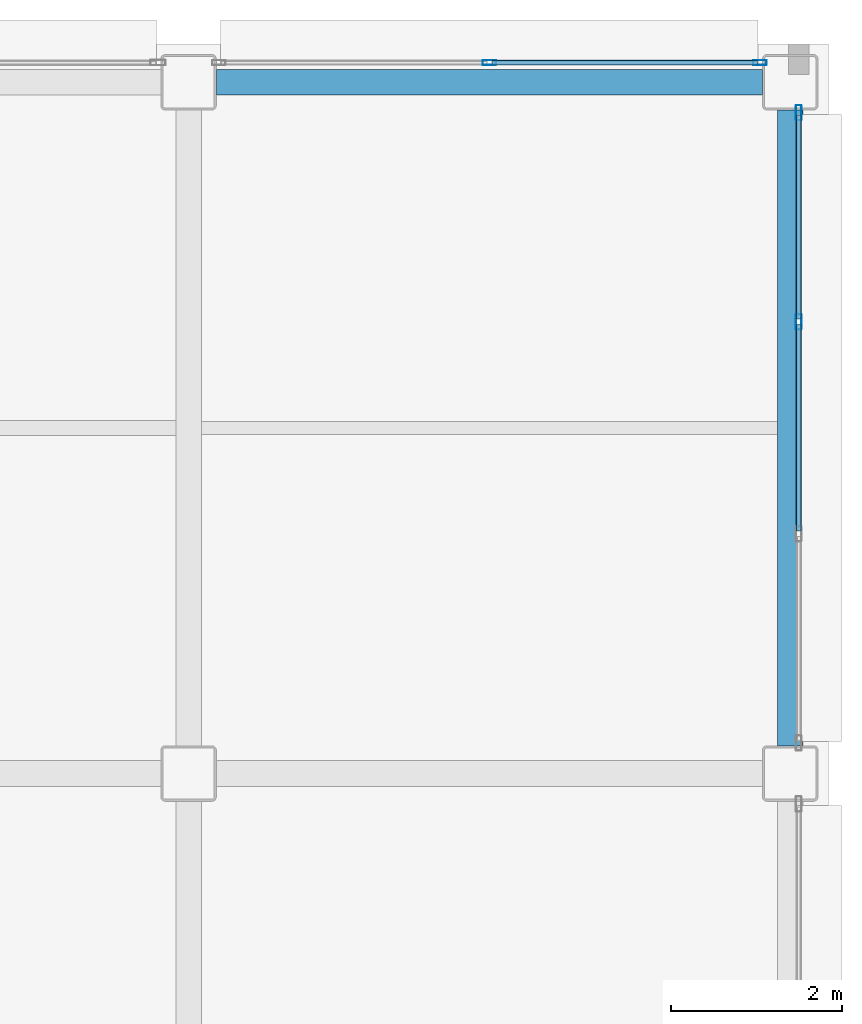
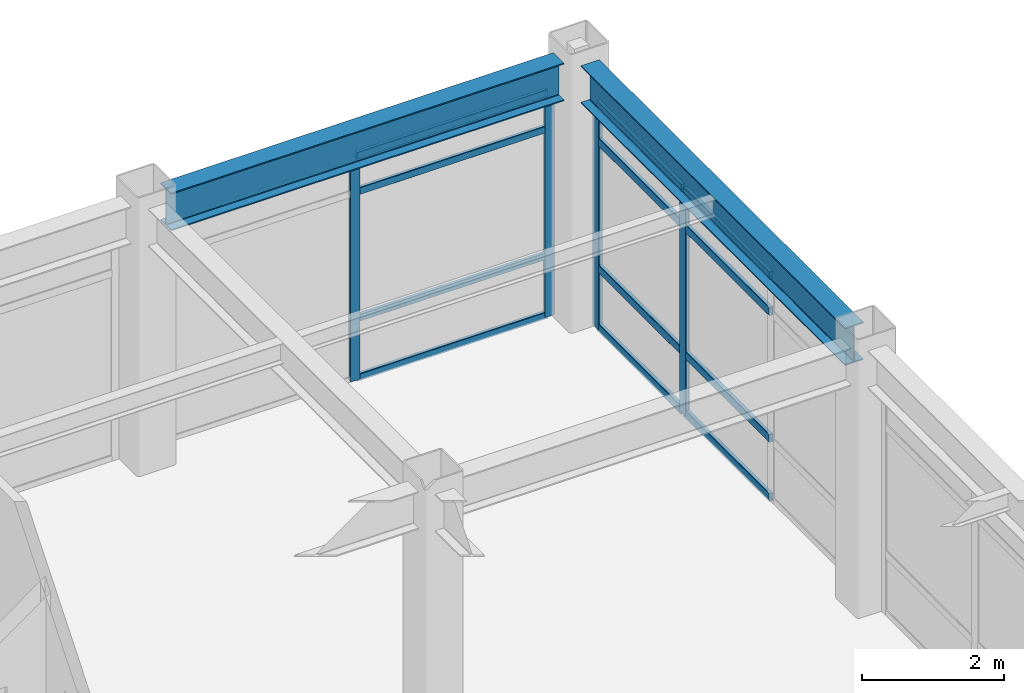
# One storey, part 64 of 93: 16 members, 2 beams, 2 elements without a shape of their own.
"""IFC4 building model written with IfcOpenShell, lengths in metres."""

from ifc_helpers import new_model, si_unit, direction, frame, origin, origin_2d, place, context, subcontext, project, spatial, hollow_rectangle, i_section, extrude, material, layer, layer_set, material_profile, profile_set, type_object, element, aggregate, save


model = new_model("IFC4")

# Units and contexts
model_context = context("Model", 3, precision=1e-05, world=origin(), true_north=direction((0.0, 1.0)))
body_context = subcontext(model_context, "Body", "Model", "MODEL_VIEW")
ifc_project = project(units=[si_unit("LENGTHUNIT", "METRE"), si_unit("AREAUNIT", "SQUARE_METRE"), si_unit("VOLUMEUNIT", "CUBIC_METRE"), si_unit("PLANEANGLEUNIT", "RADIAN"), si_unit("MASSUNIT", "GRAM", prefix="KILO")], contexts=[model_context])

# Site, building, storey
site_placement = place(None, origin())
site = spatial("IfcSite", under=ifc_project, at=site_placement, CompositionType="ELEMENT")
building_placement = place(site_placement, origin())
building = spatial("IfcBuilding", under=site, at=building_placement, Name="Kazehara Bluff Congress Hotel", CompositionType="ELEMENT")
storey_placement = place(building_placement, frame((0.0, 0.0, 15.0)))
storey = spatial("IfcBuildingStorey", under=building, at=storey_placement, Name="L03", CompositionType="ELEMENT", Elevation=15.0)

# Curtain wall, members
ifc_material_1 = material(Name="Anodised aluminium", Category="aluminium")
ifc_layer_1 = layer(ifc_material_1, 0.159912109375)
ifc_layer_set_1 = layer_set([ifc_layer_1], Name="Anodised aluminium")
curtain_wall_type_1 = type_object("IfcCurtainWallType", Name="TP-CW-145", PredefinedType="NOTDEFINED", material=ifc_layer_set_1)
curtain_wall_1_placement = place(storey_placement, origin())
curtain_wall_1 = element("IfcCurtainWall", 1, at=curtain_wall_1_placement, inside=storey, type_object=curtain_wall_type_1, Name="L03 curtain wall CW-145 CW-ENC-V5-L03-16402-11378", PredefinedType="NOTDEFINED")
ifc_material_2 = material(Name="Anodised aluminium", Category="aluminium")
ifc_material_profile_1 = material_profile(ifc_material_2, hollow_rectangle(XDim=0.06005859375, YDim=0.159912109375, WallThickness=0.00390625, InnerFilletRadius=0.00390625, OuterFilletRadius=0.008056640625, at=origin_2d()))
ifc_profile_set_1 = profile_set([ifc_material_profile_1], Name="Anodised aluminium")
member_type_1 = type_object("IfcMemberType", Name="TP-CWM-01", PredefinedType="MULLION", material=ifc_profile_set_1)
member_1_placement = place(storey_placement, frame((164.02490234375, 113.780029296875, 0.0), z_axis=(0.0, 0.0, 1.0), x_axis=(0.0, 1.0, 0.0)))
member_1 = element("IfcMember", 2, at=member_1_placement, type_object=member_type_1, Name="CW-145 mullion 2", PredefinedType="MULLION", context=body_context, shape_type="SweptSolid", body=[
    extrude(hollow_rectangle(XDim=0.06005859375, YDim=0.159912109375, WallThickness=0.00390625, InnerFilletRadius=0.00390625, OuterFilletRadius=0.008056640625, at=origin_2d()), origin(), (0.0, 0.0, 1.0), 3.885009765625),
])
member_2_placement = place(storey_placement, frame((167.195068359375, 113.780029296875, 0.0), z_axis=(0.0, 0.0, 1.0), x_axis=(0.0, 1.0, 0.0)))
member_2 = element("IfcMember", 3, at=member_2_placement, type_object=member_type_1, Name="CW-145 mullion 3", PredefinedType="MULLION", context=body_context, shape_type="SweptSolid", body=[
    extrude(hollow_rectangle(XDim=0.06005859375, YDim=0.159912109375, WallThickness=0.00390625, InnerFilletRadius=0.00390625, OuterFilletRadius=0.008056640625, at=origin_2d()), origin(), (0.0, 0.0, 1.0), 3.885009765625),
])

ifc_material_3 = material(Name="Anodised aluminium", Category="aluminium")
ifc_layer_2 = layer(ifc_material_3, 0.159912109375)
ifc_layer_set_2 = layer_set([ifc_layer_2], Name="Anodised aluminium")
curtain_wall_type_2 = type_object("IfcCurtainWallType", Name="TP-CW-140", PredefinedType="NOTDEFINED", material=ifc_layer_set_2)
curtain_wall_2_placement = place(storey_placement, origin())
curtain_wall_2 = element("IfcCurtainWall", 4, at=curtain_wall_2_placement, inside=storey, type_object=curtain_wall_type_2, Name="L03 curtain wall CW-140 CW-ENC-V5-L03-16765-10950", PredefinedType="NOTDEFINED")
ifc_material_4 = material(Name="Anodised aluminium", Category="aluminium")
ifc_material_profile_2 = material_profile(ifc_material_4, hollow_rectangle(XDim=0.06494140625, YDim=0.179931640625, WallThickness=0.00390625, InnerFilletRadius=0.00390625, OuterFilletRadius=0.008056640625, at=origin_2d()))
ifc_profile_set_2 = profile_set([ifc_material_profile_2], Name="Anodised aluminium")
member_type_2 = type_object("IfcMemberType", Name="TP-CWM-02", PredefinedType="MULLION", material=ifc_profile_set_2)
member_3_placement = place(storey_placement, frame((167.64990234375, 113.1923828125, 0.0), z_axis=(0.0, 0.0, 1.0), x_axis=(1.0, 0.0, 0.0)))
member_3 = element("IfcMember", 5, at=member_3_placement, type_object=member_type_2, Name="CW-140 mullion 1", PredefinedType="MULLION", context=body_context, shape_type="SweptSolid", body=[
    extrude(hollow_rectangle(XDim=0.06494140625, YDim=0.179931640625, WallThickness=0.00390625, InnerFilletRadius=0.00390625, OuterFilletRadius=0.008056640625, at=origin_2d()), origin(), (0.0, 0.0, 1.0), 3.885009765625),
])
member_4_placement = place(storey_placement, frame((167.64990234375, 110.74169921875, 0.0), z_axis=(0.0, 0.0, 1.0), x_axis=(1.0, 0.0, 0.0)))
member_4 = element("IfcMember", 6, at=member_4_placement, type_object=member_type_2, Name="CW-140 mullion 2", PredefinedType="MULLION", context=body_context, shape_type="SweptSolid", body=[
    extrude(hollow_rectangle(XDim=0.06494140625, YDim=0.179931640625, WallThickness=0.00390625, InnerFilletRadius=0.00390625, OuterFilletRadius=0.008056640625, at=origin_2d()), origin(), (0.0, 0.0, 1.0), 3.885009765625),
])

# Member
ifc_material_5 = material(Name="Anodised aluminium", Category="aluminium")
ifc_material_profile_3 = material_profile(ifc_material_5, hollow_rectangle(XDim=0.06005859375, YDim=0.1201171875, WallThickness=0.00390625, InnerFilletRadius=0.00390625, OuterFilletRadius=0.008056640625, at=origin_2d()))
ifc_profile_set_3 = profile_set([ifc_material_profile_3], Name="Anodised aluminium")
member_type_3 = type_object("IfcMemberType", Name="TP-CWT-01", PredefinedType="USERDEFINED", material=ifc_profile_set_3)
member_5_placement = place(storey_placement, frame((164.054931640625, 113.780029296875, 0.030029296875), z_axis=(1.0, 0.0, 0.0), x_axis=(0.0, 1.0, 0.0)))
member_5 = element("IfcMember", 7, at=member_5_placement, type_object=member_type_3, Name="CW-145 transom 2.1", ObjectType="TRANSOM", PredefinedType="USERDEFINED", context=body_context, shape_type="SweptSolid", body=[
    extrude(hollow_rectangle(XDim=0.06005859375, YDim=0.1201171875, WallThickness=0.00390625, InnerFilletRadius=0.00390625, OuterFilletRadius=0.008056640625, at=origin_2d()), origin(), (0.0, 0.0, 1.0), 3.110107421875),
])

member_6_placement = place(storey_placement, frame((164.054931640625, 113.780029296875, 1.050048828125), z_axis=(1.0, 0.0, 0.0), x_axis=(0.0, 1.0, 0.0)))
member_6 = element("IfcMember", 8, at=member_6_placement, type_object=member_type_3, Name="CW-145 transom 2.2", ObjectType="TRANSOM", PredefinedType="USERDEFINED", context=body_context, shape_type="SweptSolid", body=[
    extrude(hollow_rectangle(XDim=0.06005859375, YDim=0.1201171875, WallThickness=0.00390625, InnerFilletRadius=0.00390625, OuterFilletRadius=0.008056640625, at=origin_2d()), origin(), (0.0, 0.0, 1.0), 3.110107421875),
])

member_7_placement = place(storey_placement, frame((164.054931640625, 113.780029296875, 3.235107421875), z_axis=(1.0, 0.0, 0.0), x_axis=(0.0, 1.0, 0.0)))
member_7 = element("IfcMember", 9, at=member_7_placement, type_object=member_type_3, Name="CW-145 transom 2.3", ObjectType="TRANSOM", PredefinedType="USERDEFINED", context=body_context, shape_type="SweptSolid", body=[
    extrude(hollow_rectangle(XDim=0.06005859375, YDim=0.1201171875, WallThickness=0.00390625, InnerFilletRadius=0.00390625, OuterFilletRadius=0.008056640625, at=origin_2d()), origin(), (0.0, 0.0, 1.0), 3.110107421875),
])

member_8_placement = place(storey_placement, frame((164.054931640625, 113.780029296875, 3.85498046875), z_axis=(1.0, 0.0, 0.0), x_axis=(0.0, 1.0, 0.0)))
member_8 = element("IfcMember", 10, at=member_8_placement, type_object=member_type_3, Name="CW-145 transom 2.4", ObjectType="TRANSOM", PredefinedType="USERDEFINED", context=body_context, shape_type="SweptSolid", body=[
    extrude(hollow_rectangle(XDim=0.06005859375, YDim=0.1201171875, WallThickness=0.00390625, InnerFilletRadius=0.00390625, OuterFilletRadius=0.008056640625, at=origin_2d()), origin(), (0.0, 0.0, 1.0), 3.110107421875),
])

aggregate(curtain_wall_1, [member_1, member_2, member_5, member_6, member_7, member_8])

ifc_material_6 = material(Name="Anodised aluminium", Category="aluminium")
ifc_material_profile_4 = material_profile(ifc_material_6, hollow_rectangle(XDim=0.06494140625, YDim=0.139892578125, WallThickness=0.00390625, InnerFilletRadius=0.00390625, OuterFilletRadius=0.008056640625, at=origin_2d()))
ifc_profile_set_4 = profile_set([ifc_material_profile_4], Name="Anodised aluminium")
member_type_4 = type_object("IfcMemberType", Name="TP-CWT-02", PredefinedType="USERDEFINED", material=ifc_profile_set_4)
member_9_placement = place(storey_placement, frame((167.64990234375, 113.159912109375, 0.032470703125), z_axis=(0.0, -1.0, 0.0), x_axis=(1.0, 0.0, 0.0)))
member_9 = element("IfcMember", 11, at=member_9_placement, type_object=member_type_4, Name="CW-140 transom 1.1", ObjectType="TRANSOM", PredefinedType="USERDEFINED", context=body_context, shape_type="SweptSolid", body=[
    extrude(hollow_rectangle(XDim=0.06494140625, YDim=0.139892578125, WallThickness=0.00390625, InnerFilletRadius=0.00390625, OuterFilletRadius=0.008056640625, at=origin_2d()), origin(), (0.0, 0.0, 1.0), 2.3857421875),
])

member_10_placement = place(storey_placement, frame((167.64990234375, 113.159912109375, 1.050048828125), z_axis=(0.0, -1.0, 0.0), x_axis=(1.0, 0.0, 0.0)))
member_10 = element("IfcMember", 12, at=member_10_placement, type_object=member_type_4, Name="CW-140 transom 1.2", ObjectType="TRANSOM", PredefinedType="USERDEFINED", context=body_context, shape_type="SweptSolid", body=[
    extrude(hollow_rectangle(XDim=0.06494140625, YDim=0.139892578125, WallThickness=0.00390625, InnerFilletRadius=0.00390625, OuterFilletRadius=0.008056640625, at=origin_2d()), origin(), (0.0, 0.0, 1.0), 2.3857421875),
])

member_11_placement = place(storey_placement, frame((167.64990234375, 113.159912109375, 3.235107421875), z_axis=(0.0, -1.0, 0.0), x_axis=(1.0, 0.0, 0.0)))
member_11 = element("IfcMember", 13, at=member_11_placement, type_object=member_type_4, Name="CW-140 transom 1.3", ObjectType="TRANSOM", PredefinedType="USERDEFINED", context=body_context, shape_type="SweptSolid", body=[
    extrude(hollow_rectangle(XDim=0.06494140625, YDim=0.139892578125, WallThickness=0.00390625, InnerFilletRadius=0.00390625, OuterFilletRadius=0.008056640625, at=origin_2d()), origin(), (0.0, 0.0, 1.0), 2.3857421875),
])

member_12_placement = place(storey_placement, frame((167.64990234375, 113.159912109375, 3.8525390625), z_axis=(0.0, -1.0, 0.0), x_axis=(1.0, 0.0, 0.0)))
member_12 = element("IfcMember", 14, at=member_12_placement, type_object=member_type_4, Name="CW-140 transom 1.4", ObjectType="TRANSOM", PredefinedType="USERDEFINED", context=body_context, shape_type="SweptSolid", body=[
    extrude(hollow_rectangle(XDim=0.06494140625, YDim=0.139892578125, WallThickness=0.00390625, InnerFilletRadius=0.00390625, OuterFilletRadius=0.008056640625, at=origin_2d()), origin(), (0.0, 0.0, 1.0), 2.3857421875),
])

member_13_placement = place(storey_placement, frame((167.64990234375, 110.709228515625, 0.032470703125), z_axis=(0.0, -1.0, 0.0), x_axis=(1.0, 0.0, 0.0)))
member_13 = element("IfcMember", 15, at=member_13_placement, type_object=member_type_4, Name="CW-140 transom 2.1", ObjectType="TRANSOM", PredefinedType="USERDEFINED", context=body_context, shape_type="SweptSolid", body=[
    extrude(hollow_rectangle(XDim=0.06494140625, YDim=0.139892578125, WallThickness=0.00390625, InnerFilletRadius=0.00390625, OuterFilletRadius=0.008056640625, at=origin_2d()), origin(), (0.0, 0.0, 1.0), 2.41845703125),
])

member_14_placement = place(storey_placement, frame((167.64990234375, 110.709228515625, 1.050048828125), z_axis=(0.0, -1.0, 0.0), x_axis=(1.0, 0.0, 0.0)))
member_14 = element("IfcMember", 16, at=member_14_placement, type_object=member_type_4, Name="CW-140 transom 2.2", ObjectType="TRANSOM", PredefinedType="USERDEFINED", context=body_context, shape_type="SweptSolid", body=[
    extrude(hollow_rectangle(XDim=0.06494140625, YDim=0.139892578125, WallThickness=0.00390625, InnerFilletRadius=0.00390625, OuterFilletRadius=0.008056640625, at=origin_2d()), origin(), (0.0, 0.0, 1.0), 2.41845703125),
])

member_15_placement = place(storey_placement, frame((167.64990234375, 110.709228515625, 3.235107421875), z_axis=(0.0, -1.0, 0.0), x_axis=(1.0, 0.0, 0.0)))
member_15 = element("IfcMember", 17, at=member_15_placement, type_object=member_type_4, Name="CW-140 transom 2.3", ObjectType="TRANSOM", PredefinedType="USERDEFINED", context=body_context, shape_type="SweptSolid", body=[
    extrude(hollow_rectangle(XDim=0.06494140625, YDim=0.139892578125, WallThickness=0.00390625, InnerFilletRadius=0.00390625, OuterFilletRadius=0.008056640625, at=origin_2d()), origin(), (0.0, 0.0, 1.0), 2.41845703125),
])

member_16_placement = place(storey_placement, frame((167.64990234375, 110.709228515625, 3.8525390625), z_axis=(0.0, -1.0, 0.0), x_axis=(1.0, 0.0, 0.0)))
member_16 = element("IfcMember", 18, at=member_16_placement, type_object=member_type_4, Name="CW-140 transom 2.4", ObjectType="TRANSOM", PredefinedType="USERDEFINED", context=body_context, shape_type="SweptSolid", body=[
    extrude(hollow_rectangle(XDim=0.06494140625, YDim=0.139892578125, WallThickness=0.00390625, InnerFilletRadius=0.00390625, OuterFilletRadius=0.008056640625, at=origin_2d()), origin(), (0.0, 0.0, 1.0), 2.41845703125),
])

aggregate(curtain_wall_2, [member_3, member_4, member_9, member_10, member_11, member_12, member_13, member_14, member_15, member_16])

# Beams
ifc_material_7 = material(Name="Steel SN490B", Category="steel")
ifc_material_profile_5 = material_profile(ifc_material_7, i_section(OverallWidth=0.300048828125, OverallDepth=0.64990234375, WebThickness=0.011962890625, FlangeThickness=0.02001953125, FilletRadius=0.012939453125, at=origin_2d()))
ifc_profile_set_5 = profile_set([ifc_material_profile_5], Name="Steel SN490B")
beam_type = type_object("IfcBeamType", Name="TP-G-03", PredefinedType="BEAM", material=ifc_profile_set_5)
beam_1_placement = place(storey_placement, frame((167.550048828125, 105.77490234375, 4.235107421875), z_axis=(0.0, 1.0, 0.0), x_axis=(-1.0, 0.0, 0.0)))
element("IfcBeam", 19, at=beam_1_placement, inside=storey, type_object=beam_type, Name="L03 girder G-03 150", PredefinedType="BEAM", context=body_context, shape_type="SweptSolid", body=[
    extrude(i_section(OverallWidth=0.300048828125, OverallDepth=0.64990234375, WebThickness=0.011962890625, FlangeThickness=0.02001953125, FilletRadius=0.012939453125, at=origin_2d()), origin(), (0.0, 0.0, 1.0), 7.4501953125),
])
beam_2_placement = place(storey_placement, frame((160.824951171875, 113.550048828125, 4.235107421875), z_axis=(1.0, 0.0, 0.0), x_axis=(0.0, 1.0, 0.0)))
element("IfcBeam", 20, at=beam_2_placement, inside=storey, type_object=beam_type, Name="L03 girder G-03 198", PredefinedType="BEAM", context=body_context, shape_type="SweptSolid", body=[
    extrude(i_section(OverallWidth=0.300048828125, OverallDepth=0.64990234375, WebThickness=0.011962890625, FlangeThickness=0.02001953125, FilletRadius=0.012939453125, at=origin_2d()), origin(), (0.0, 0.0, 1.0), 6.400146484375),
])

save(model, "model.ifc")
